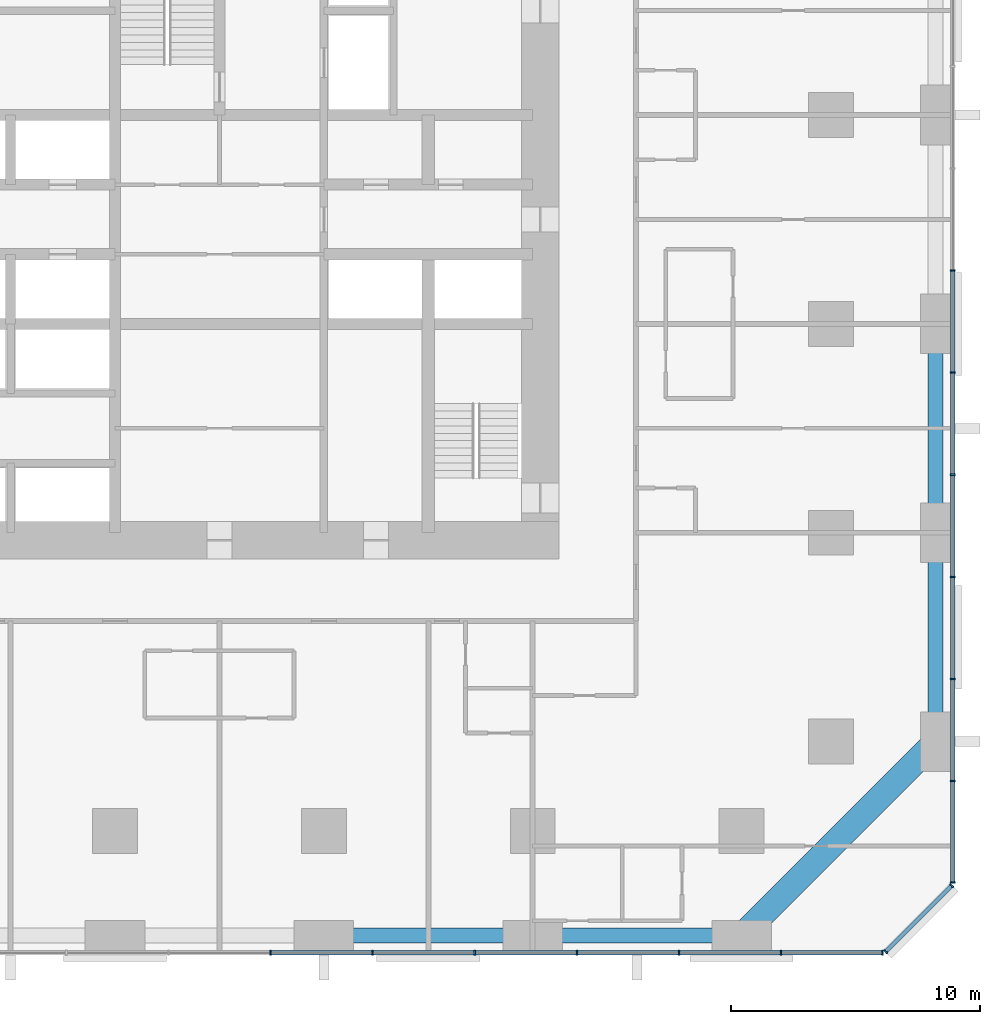
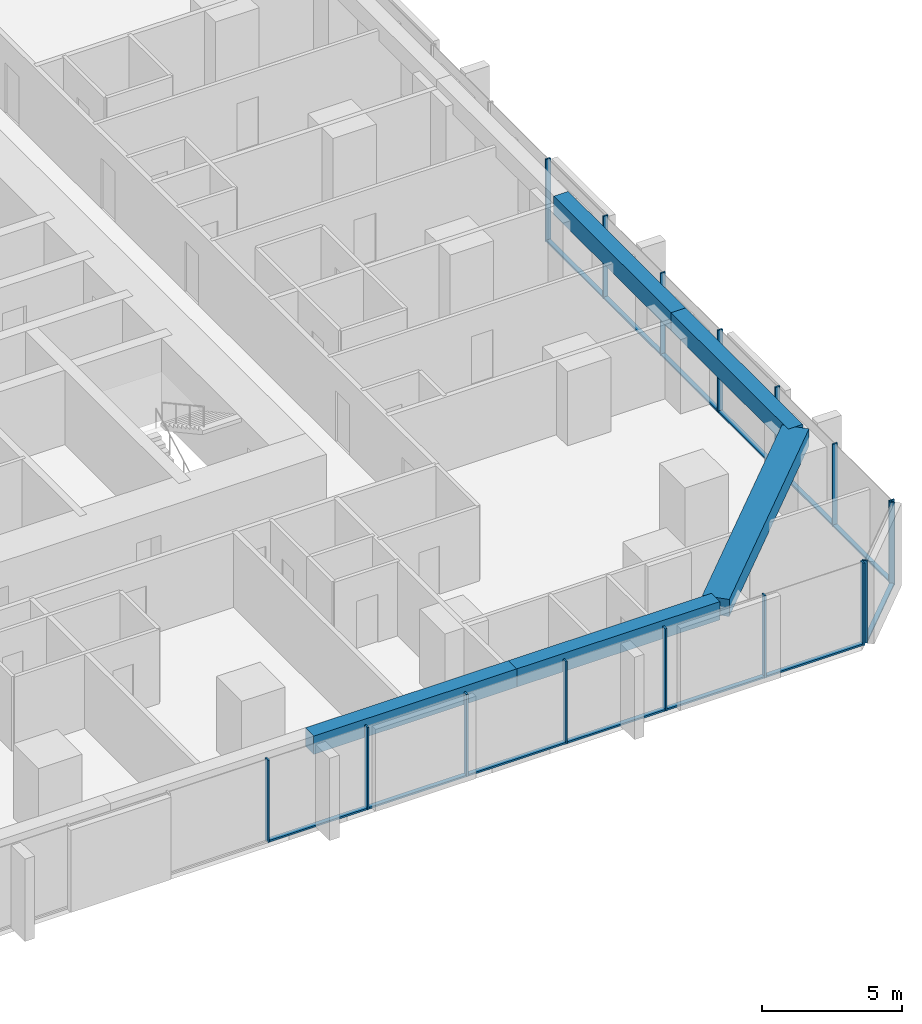
# One storey, part 4 of 17: 29 members, 5 beams, 3 elements without a shape of their own.
"""IFC4 building model written with IfcOpenShell, lengths in metres."""

from ifc_helpers import new_model, si_unit, direction, frame, origin, origin_2d, place, context, subcontext, project, spatial, rectangle, extrude, material, material_profile, profile_set, type_object, element, aggregate, save


model = new_model("IFC4")

# Units and contexts
model_context = context("Model", 3, precision=1e-05, world=origin(), true_north=direction((0.0, 1.0)))
body_context = subcontext(model_context, "Body", "Model", "MODEL_VIEW")
ifc_project = project(units=[si_unit("LENGTHUNIT", "METRE"), si_unit("AREAUNIT", "SQUARE_METRE"), si_unit("VOLUMEUNIT", "CUBIC_METRE"), si_unit("PLANEANGLEUNIT", "RADIAN"), si_unit("MASSUNIT", "GRAM", prefix="KILO")], contexts=[model_context])

# Site, building, storey
site_placement = place(None, origin())
site = spatial("IfcSite", under=ifc_project, at=site_placement, CompositionType="ELEMENT")
building_placement = place(site_placement, origin())
building = spatial("IfcBuilding", under=site, at=building_placement, Name="Dunama Terrace Hotel", CompositionType="ELEMENT")
storey_placement = place(building_placement, frame((0.0, 0.0, 66.60009765625)))
storey = spatial("IfcBuildingStorey", under=building, at=storey_placement, Name="L16", CompositionType="ELEMENT", Elevation=66.60009765625)

# Curtain wall, members
ifc_material_1 = material(Name="Aluminium curtain wall system", Category="aluminium")
curtain_wall_type = type_object("IfcCurtainWallType", Name="Unitised fritted glass wall CW-A", PredefinedType="NOTDEFINED", material=ifc_material_1)
curtain_wall_1_placement = place(storey_placement, origin())
curtain_wall_1 = element("IfcCurtainWall", 1, at=curtain_wall_1_placement, inside=storey, type_object=curtain_wall_type, Name="Unitised fritted glass wall CW-A L16", PredefinedType="NOTDEFINED")
ifc_material_2 = material(Name="Aluminium mullion", Category="aluminium")
ifc_material_profile_1 = material_profile(ifc_material_2, rectangle(XDim=0.06494140625, YDim=0.199951171875, at=origin_2d()), Name="CWA MULLION 65X200")
ifc_profile_set_1 = profile_set([ifc_material_profile_1], Name="Aluminium mullion")
member_type_1 = type_object("IfcMemberType", Name="CWA mullion 65x200", PredefinedType="MULLION", material=ifc_profile_set_1)
member_1_placement = place(storey_placement, frame((31.4541015625, -0.10009765625, 0.0), z_axis=(0.0, 0.0, 1.0), x_axis=(1.0, 0.0, 0.0)))
member_1 = element("IfcMember", 2, at=member_1_placement, type_object=member_type_1, Name="CWA mullion", PredefinedType="MULLION", context=body_context, shape_type="SweptSolid", body=[
    extrude(rectangle(XDim=0.06494140625, YDim=0.199951171875, at=origin_2d()), origin(), (0.0, 0.0, 1.0), 3.599853515625),
])
member_2_placement = place(storey_placement, frame((35.56201171875, -0.10009765625, 0.0), z_axis=(0.0, 0.0, 1.0), x_axis=(1.0, 0.0, 0.0)))
member_2 = element("IfcMember", 3, at=member_2_placement, type_object=member_type_1, Name="CWA mullion", PredefinedType="MULLION", context=body_context, shape_type="SweptSolid", body=[
    extrude(rectangle(XDim=0.06494140625, YDim=0.199951171875, at=origin_2d()), origin(), (0.0, 0.0, 1.0), 3.599853515625),
])
member_3_placement = place(storey_placement, frame((39.6689453125, -0.10009765625, 0.0), z_axis=(0.0, 0.0, 1.0), x_axis=(1.0, 0.0, 0.0)))
member_3 = element("IfcMember", 4, at=member_3_placement, type_object=member_type_1, Name="CWA mullion", PredefinedType="MULLION", context=body_context, shape_type="SweptSolid", body=[
    extrude(rectangle(XDim=0.06494140625, YDim=0.199951171875, at=origin_2d()), origin(), (0.0, 0.0, 1.0), 3.599853515625),
])
member_4_placement = place(storey_placement, frame((43.777099609375, -0.10009765625, 0.0), z_axis=(0.0, 0.0, 1.0), x_axis=(1.0, 0.0, 0.0)))
member_4 = element("IfcMember", 5, at=member_4_placement, type_object=member_type_1, Name="CWA mullion", PredefinedType="MULLION", context=body_context, shape_type="SweptSolid", body=[
    extrude(rectangle(XDim=0.06494140625, YDim=0.199951171875, at=origin_2d()), origin(), (0.0, 0.0, 1.0), 3.599853515625),
])
member_5_placement = place(storey_placement, frame((47.885009765625, -0.10009765625, 0.0), z_axis=(0.0, 0.0, 1.0), x_axis=(1.0, 0.0, 0.0)))
member_5 = element("IfcMember", 6, at=member_5_placement, type_object=member_type_1, Name="CWA mullion", PredefinedType="MULLION", context=body_context, shape_type="SweptSolid", body=[
    extrude(rectangle(XDim=0.06494140625, YDim=0.199951171875, at=origin_2d()), origin(), (0.0, 0.0, 1.0), 3.599853515625),
])
member_6_placement = place(storey_placement, frame((51.991943359375, -0.10009765625, 0.0), z_axis=(0.0, 0.0, 1.0), x_axis=(1.0, 0.0, 0.0)))
member_6 = element("IfcMember", 7, at=member_6_placement, type_object=member_type_1, Name="CWA mullion", PredefinedType="MULLION", context=body_context, shape_type="SweptSolid", body=[
    extrude(rectangle(XDim=0.06494140625, YDim=0.199951171875, at=origin_2d()), origin(), (0.0, 0.0, 1.0), 3.599853515625),
])
member_7_placement = place(storey_placement, frame((56.06689453125, -0.10009765625, 0.0), z_axis=(0.0, 0.0, 1.0), x_axis=(1.0, 0.0, 0.0)))
member_7 = element("IfcMember", 8, at=member_7_placement, type_object=member_type_1, Name="CWA mullion", PredefinedType="MULLION", context=body_context, shape_type="SweptSolid", body=[
    extrude(rectangle(XDim=0.06494140625, YDim=0.199951171875, at=origin_2d()), origin(), (0.0, 0.0, 1.0), 3.599853515625),
])

curtain_wall_2_placement = place(storey_placement, origin())
curtain_wall_2 = element("IfcCurtainWall", 9, at=curtain_wall_2_placement, inside=storey, type_object=curtain_wall_type, Name="Unitised fritted glass wall CW-A L16", PredefinedType="NOTDEFINED")
member_8_placement = place(storey_placement, frame((56.194091796875, -0.048095703125, 0.0), z_axis=(0.0, 0.0, 1.0), x_axis=(0.707106781187, 0.707106781187, 0.0)))
member_8 = element("IfcMember", 10, at=member_8_placement, type_object=member_type_1, Name="CWA mullion", PredefinedType="MULLION", context=body_context, shape_type="SweptSolid", body=[
    extrude(rectangle(XDim=0.06494140625, YDim=0.199951171875, at=origin_2d()), origin(), (0.0, 0.0, 1.0), 3.599853515625),
])
member_9_placement = place(storey_placement, frame((58.847900390625, 2.60595703125, 0.0), z_axis=(0.0, 0.0, 1.0), x_axis=(0.707106781187, 0.707106781187, 0.0)))
member_9 = element("IfcMember", 11, at=member_9_placement, type_object=member_type_1, Name="CWA mullion", PredefinedType="MULLION", context=body_context, shape_type="SweptSolid", body=[
    extrude(rectangle(XDim=0.06494140625, YDim=0.199951171875, at=origin_2d()), origin(), (0.0, 0.0, 1.0), 3.599853515625),
])

curtain_wall_3_placement = place(storey_placement, origin())
curtain_wall_3 = element("IfcCurtainWall", 12, at=curtain_wall_3_placement, inside=storey, type_object=curtain_wall_type, Name="Unitised fritted glass wall CW-A L16", PredefinedType="NOTDEFINED")
member_10_placement = place(storey_placement, frame((58.89990234375, 2.73291015625, 0.0), z_axis=(0.0, 0.0, 1.0), x_axis=(0.0, 1.0, 0.0)))
member_10 = element("IfcMember", 13, at=member_10_placement, type_object=member_type_1, Name="CWA mullion", PredefinedType="MULLION", context=body_context, shape_type="SweptSolid", body=[
    extrude(rectangle(XDim=0.06494140625, YDim=0.199951171875, at=origin_2d()), origin(), (0.0, 0.0, 1.0), 3.599853515625),
])
member_11_placement = place(storey_placement, frame((58.89990234375, 6.80810546875, 0.0), z_axis=(0.0, 0.0, 1.0), x_axis=(0.0, 1.0, 0.0)))
member_11 = element("IfcMember", 14, at=member_11_placement, type_object=member_type_1, Name="CWA mullion", PredefinedType="MULLION", context=body_context, shape_type="SweptSolid", body=[
    extrude(rectangle(XDim=0.06494140625, YDim=0.199951171875, at=origin_2d()), origin(), (0.0, 0.0, 1.0), 3.599853515625),
])
member_12_placement = place(storey_placement, frame((58.89990234375, 10.9150390625, 0.0), z_axis=(0.0, 0.0, 1.0), x_axis=(0.0, 1.0, 0.0)))
member_12 = element("IfcMember", 15, at=member_12_placement, type_object=member_type_1, Name="CWA mullion", PredefinedType="MULLION", context=body_context, shape_type="SweptSolid", body=[
    extrude(rectangle(XDim=0.06494140625, YDim=0.199951171875, at=origin_2d()), origin(), (0.0, 0.0, 1.0), 3.599853515625),
])
member_13_placement = place(storey_placement, frame((58.89990234375, 15.02294921875, 0.0), z_axis=(0.0, 0.0, 1.0), x_axis=(0.0, 1.0, 0.0)))
member_13 = element("IfcMember", 16, at=member_13_placement, type_object=member_type_1, Name="CWA mullion", PredefinedType="MULLION", context=body_context, shape_type="SweptSolid", body=[
    extrude(rectangle(XDim=0.06494140625, YDim=0.199951171875, at=origin_2d()), origin(), (0.0, 0.0, 1.0), 3.599853515625),
])
member_14_placement = place(storey_placement, frame((58.89990234375, 19.131103515625, 0.0), z_axis=(0.0, 0.0, 1.0), x_axis=(0.0, 1.0, 0.0)))
member_14 = element("IfcMember", 17, at=member_14_placement, type_object=member_type_1, Name="CWA mullion", PredefinedType="MULLION", context=body_context, shape_type="SweptSolid", body=[
    extrude(rectangle(XDim=0.06494140625, YDim=0.199951171875, at=origin_2d()), origin(), (0.0, 0.0, 1.0), 3.599853515625),
])
member_15_placement = place(storey_placement, frame((58.89990234375, 23.238037109375, 0.0), z_axis=(0.0, 0.0, 1.0), x_axis=(0.0, 1.0, 0.0)))
member_15 = element("IfcMember", 18, at=member_15_placement, type_object=member_type_1, Name="CWA mullion", PredefinedType="MULLION", context=body_context, shape_type="SweptSolid", body=[
    extrude(rectangle(XDim=0.06494140625, YDim=0.199951171875, at=origin_2d()), origin(), (0.0, 0.0, 1.0), 3.599853515625),
])
member_16_placement = place(storey_placement, frame((58.89990234375, 27.345947265625, 0.0), z_axis=(0.0, 0.0, 1.0), x_axis=(0.0, 1.0, 0.0)))
member_16 = element("IfcMember", 19, at=member_16_placement, type_object=member_type_1, Name="CWA mullion", PredefinedType="MULLION", context=body_context, shape_type="SweptSolid", body=[
    extrude(rectangle(XDim=0.06494140625, YDim=0.199951171875, at=origin_2d()), origin(), (0.0, 0.0, 1.0), 3.599853515625),
])

# Member
ifc_material_3 = material(Name="Aluminium transom", Category="aluminium")
ifc_material_profile_2 = material_profile(ifc_material_3, rectangle(XDim=0.179931640625, YDim=0.074951171875, at=origin_2d()), Name="CWA TRANSOM 180X75")
ifc_profile_set_2 = profile_set([ifc_material_profile_2], Name="Aluminium transom")
member_type_2 = type_object("IfcMemberType", Name="CWA transom 180x75", PredefinedType="USERDEFINED", material=ifc_profile_set_2)
member_17_placement = place(storey_placement, frame((31.486083984375, -0.10009765625, 0.037353515625), z_axis=(1.0, 0.0, 0.0), x_axis=(0.0, 1.0, 0.0)))
member_17 = element("IfcMember", 20, at=member_17_placement, type_object=member_type_2, Name="CWA transom", ObjectType="TRANSOM", PredefinedType="USERDEFINED", context=body_context, shape_type="SweptSolid", body=[
    extrude(rectangle(XDim=0.179931640625, YDim=0.074951171875, at=origin_2d()), origin(), (0.0, 0.0, 1.0), 4.04296875),
])

member_18_placement = place(storey_placement, frame((35.593994140625, -0.10009765625, 0.037353515625), z_axis=(1.0, 0.0, 0.0), x_axis=(0.0, 1.0, 0.0)))
member_18 = element("IfcMember", 21, at=member_18_placement, type_object=member_type_2, Name="CWA transom", ObjectType="TRANSOM", PredefinedType="USERDEFINED", context=body_context, shape_type="SweptSolid", body=[
    extrude(rectangle(XDim=0.179931640625, YDim=0.074951171875, at=origin_2d()), origin(), (0.0, 0.0, 1.0), 4.04296875),
])

member_19_placement = place(storey_placement, frame((39.701904296875, -0.10009765625, 0.037353515625), z_axis=(1.0, 0.0, 0.0), x_axis=(0.0, 1.0, 0.0)))
member_19 = element("IfcMember", 22, at=member_19_placement, type_object=member_type_2, Name="CWA transom", ObjectType="TRANSOM", PredefinedType="USERDEFINED", context=body_context, shape_type="SweptSolid", body=[
    extrude(rectangle(XDim=0.179931640625, YDim=0.074951171875, at=origin_2d()), origin(), (0.0, 0.0, 1.0), 4.0419921875),
])

member_20_placement = place(storey_placement, frame((43.80908203125, -0.10009765625, 0.037353515625), z_axis=(1.0, 0.0, 0.0), x_axis=(0.0, 1.0, 0.0)))
member_20 = element("IfcMember", 23, at=member_20_placement, type_object=member_type_2, Name="CWA transom", ObjectType="TRANSOM", PredefinedType="USERDEFINED", context=body_context, shape_type="SweptSolid", body=[
    extrude(rectangle(XDim=0.179931640625, YDim=0.074951171875, at=origin_2d()), origin(), (0.0, 0.0, 1.0), 4.04296875),
])

member_21_placement = place(storey_placement, frame((47.9169921875, -0.10009765625, 0.037353515625), z_axis=(1.0, 0.0, 0.0), x_axis=(0.0, 1.0, 0.0)))
member_21 = element("IfcMember", 24, at=member_21_placement, type_object=member_type_2, Name="CWA transom", ObjectType="TRANSOM", PredefinedType="USERDEFINED", context=body_context, shape_type="SweptSolid", body=[
    extrude(rectangle(XDim=0.179931640625, YDim=0.074951171875, at=origin_2d()), origin(), (0.0, 0.0, 1.0), 4.04296875),
])

member_22_placement = place(storey_placement, frame((52.02490234375, -0.10009765625, 0.037353515625), z_axis=(1.0, 0.0, 0.0), x_axis=(0.0, 1.0, 0.0)))
member_22 = element("IfcMember", 25, at=member_22_placement, type_object=member_type_2, Name="CWA transom", ObjectType="TRANSOM", PredefinedType="USERDEFINED", context=body_context, shape_type="SweptSolid", body=[
    extrude(rectangle(XDim=0.179931640625, YDim=0.074951171875, at=origin_2d()), origin(), (0.0, 0.0, 1.0), 4.010009765625),
])

aggregate(curtain_wall_1, [member_1, member_2, member_3, member_4, member_5, member_6, member_7, member_17, member_18, member_19, member_20, member_21, member_22])

member_23_placement = place(storey_placement, frame((56.217041015625, -0.02490234375, 0.037353515625), z_axis=(0.707106781187, 0.707106781187, 0.0), x_axis=(-0.707106781187, 0.707106781187, 0.0)))
member_23 = element("IfcMember", 26, at=member_23_placement, type_object=member_type_2, Name="CWA transom", ObjectType="TRANSOM", PredefinedType="USERDEFINED", context=body_context, shape_type="SweptSolid", body=[
    extrude(rectangle(XDim=0.179931640625, YDim=0.074951171875, at=origin_2d()), origin(), (0.0, 0.0, 1.0), 3.688232421875),
])

aggregate(curtain_wall_2, [member_8, member_9, member_23])

member_24_placement = place(storey_placement, frame((58.89990234375, 2.764892578125, 0.037353515625), z_axis=(0.0, 1.0, 0.0), x_axis=(-1.0, 0.0, 0.0)))
member_24 = element("IfcMember", 27, at=member_24_placement, type_object=member_type_2, Name="CWA transom", ObjectType="TRANSOM", PredefinedType="USERDEFINED", context=body_context, shape_type="SweptSolid", body=[
    extrude(rectangle(XDim=0.179931640625, YDim=0.074951171875, at=origin_2d()), origin(), (0.0, 0.0, 1.0), 4.010009765625),
])

member_25_placement = place(storey_placement, frame((58.89990234375, 6.840087890625, 0.037353515625), z_axis=(0.0, 1.0, 0.0), x_axis=(-1.0, 0.0, 0.0)))
member_25 = element("IfcMember", 28, at=member_25_placement, type_object=member_type_2, Name="CWA transom", ObjectType="TRANSOM", PredefinedType="USERDEFINED", context=body_context, shape_type="SweptSolid", body=[
    extrude(rectangle(XDim=0.179931640625, YDim=0.074951171875, at=origin_2d()), origin(), (0.0, 0.0, 1.0), 4.04296875),
])

member_26_placement = place(storey_placement, frame((58.89990234375, 10.947998046875, 0.037353515625), z_axis=(0.0, 1.0, 0.0), x_axis=(-1.0, 0.0, 0.0)))
member_26 = element("IfcMember", 29, at=member_26_placement, type_object=member_type_2, Name="CWA transom", ObjectType="TRANSOM", PredefinedType="USERDEFINED", context=body_context, shape_type="SweptSolid", body=[
    extrude(rectangle(XDim=0.179931640625, YDim=0.074951171875, at=origin_2d()), origin(), (0.0, 0.0, 1.0), 4.04296875),
])

member_27_placement = place(storey_placement, frame((58.89990234375, 15.055908203125, 0.037353515625), z_axis=(0.0, 1.0, 0.0), x_axis=(-1.0, 0.0, 0.0)))
member_27 = element("IfcMember", 30, at=member_27_placement, type_object=member_type_2, Name="CWA transom", ObjectType="TRANSOM", PredefinedType="USERDEFINED", context=body_context, shape_type="SweptSolid", body=[
    extrude(rectangle(XDim=0.179931640625, YDim=0.074951171875, at=origin_2d()), origin(), (0.0, 0.0, 1.0), 4.0419921875),
])

member_28_placement = place(storey_placement, frame((58.89990234375, 19.1630859375, 0.037353515625), z_axis=(0.0, 1.0, 0.0), x_axis=(-1.0, 0.0, 0.0)))
member_28 = element("IfcMember", 31, at=member_28_placement, type_object=member_type_2, Name="CWA transom", ObjectType="TRANSOM", PredefinedType="USERDEFINED", context=body_context, shape_type="SweptSolid", body=[
    extrude(rectangle(XDim=0.179931640625, YDim=0.074951171875, at=origin_2d()), origin(), (0.0, 0.0, 1.0), 4.04296875),
])

member_29_placement = place(storey_placement, frame((58.89990234375, 23.27099609375, 0.037353515625), z_axis=(0.0, 1.0, 0.0), x_axis=(-1.0, 0.0, 0.0)))
member_29 = element("IfcMember", 32, at=member_29_placement, type_object=member_type_2, Name="CWA transom", ObjectType="TRANSOM", PredefinedType="USERDEFINED", context=body_context, shape_type="SweptSolid", body=[
    extrude(rectangle(XDim=0.179931640625, YDim=0.074951171875, at=origin_2d()), origin(), (0.0, 0.0, 1.0), 4.04296875),
])

aggregate(curtain_wall_3, [member_10, member_11, member_12, member_13, member_14, member_15, member_16, member_24, member_25, member_26, member_27, member_28, member_29])

# Beams
ifc_material_4 = material(Name="Concrete C50/60", Category="concrete")
ifc_material_profile_3 = material_profile(ifc_material_4, rectangle(XDim=1.0, YDim=0.75, at=origin_2d()), Name="RC 1000x750")
ifc_profile_set_3 = profile_set([ifc_material_profile_3], Name="Concrete C50/60")
beam_type_1 = type_object("IfcBeamType", Name="Edge beam RC 1000x750", PredefinedType="SPANDREL", material=ifc_profile_set_3)
beam_1_placement = place(storey_placement, frame((50.39990234375, 0.60009765625, 3.224853515625), z_axis=(0.707117847453, 0.707095714747, 0.0), x_axis=(-0.707095714747, 0.707117847453, 0.0)))
element("IfcBeam", 33, at=beam_1_placement, inside=storey, type_object=beam_type_1, Name="Corner edge beam under L17", PredefinedType="SPANDREL", context=body_context, shape_type="SweptSolid", body=[
    extrude(rectangle(XDim=1.0, YDim=0.75, at=origin_2d()), origin(), (0.0, 0.0, 1.0), 11.03076171875),
])
ifc_material_5 = material(Name="Concrete C40/50", Category="concrete")
ifc_material_profile_4 = material_profile(ifc_material_5, rectangle(XDim=0.60009765625, YDim=0.800048828125, at=origin_2d()), Name="RC 600x800")
ifc_profile_set_4 = profile_set([ifc_material_profile_4], Name="Concrete C40/50")
beam_type_2 = type_object("IfcBeamType", Name="Edge beam RC 600x800", PredefinedType="SPANDREL", material=ifc_profile_set_4)
beam_2_placement = place(storey_placement, frame((58.199951171875, 8.39990234375, 3.199951171875), z_axis=(0.0, 1.0, 0.0), x_axis=(-1.0, 0.0, 0.0)))
element("IfcBeam", 34, at=beam_2_placement, inside=storey, type_object=beam_type_2, Name="Edge beam under L17", PredefinedType="SPANDREL", context=body_context, shape_type="SweptSolid", body=[
    extrude(rectangle(XDim=0.60009765625, YDim=0.800048828125, at=origin_2d()), origin(), (0.0, 0.0, 1.0), 8.400146484375),
])
for number, where, z_axis, x_axis, name in (
    (35, (58.199951171875, 16.800048828125, 3.199951171875), (0.0, 1.0, 0.0), (-1.0, 0.0, 0.0), "Edge beam under L17"),
    (36, (33.60009765625, 0.60009765625, 3.199951171875), (1.0, 0.0, 0.0), (0.0, 1.0, 0.0), "Edge beam under L17"),
    (37, (42.0, 0.60009765625, 3.199951171875), (1.0, 0.0, 0.0), (0.0, 1.0, 0.0), "Edge beam under L17"),
):
    element("IfcBeam", number, at=place(storey_placement, frame(where, z_axis=z_axis, x_axis=x_axis)), inside=storey, type_object=beam_type_2, Name=name, PredefinedType="SPANDREL", context=body_context, shape_type="SweptSolid", body=[
        extrude(rectangle(XDim=0.60009765625, YDim=0.800048828125, at=origin_2d()), origin(), (0.0, 0.0, 1.0), 8.39990234375),
    ])

save(model, "model.ifc")
